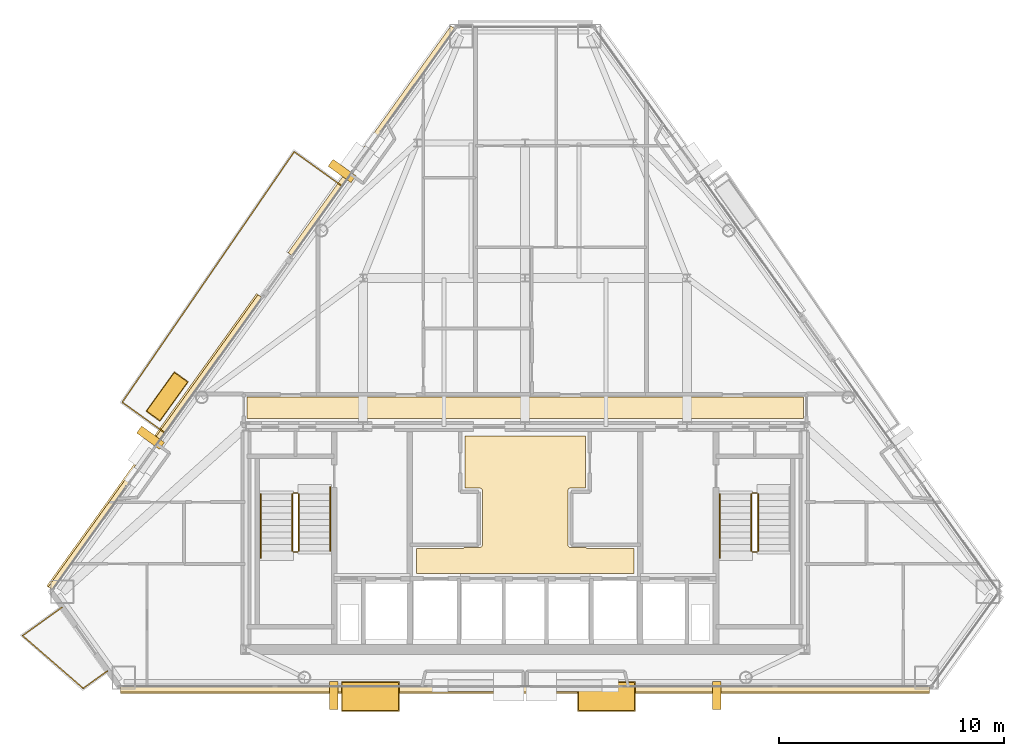
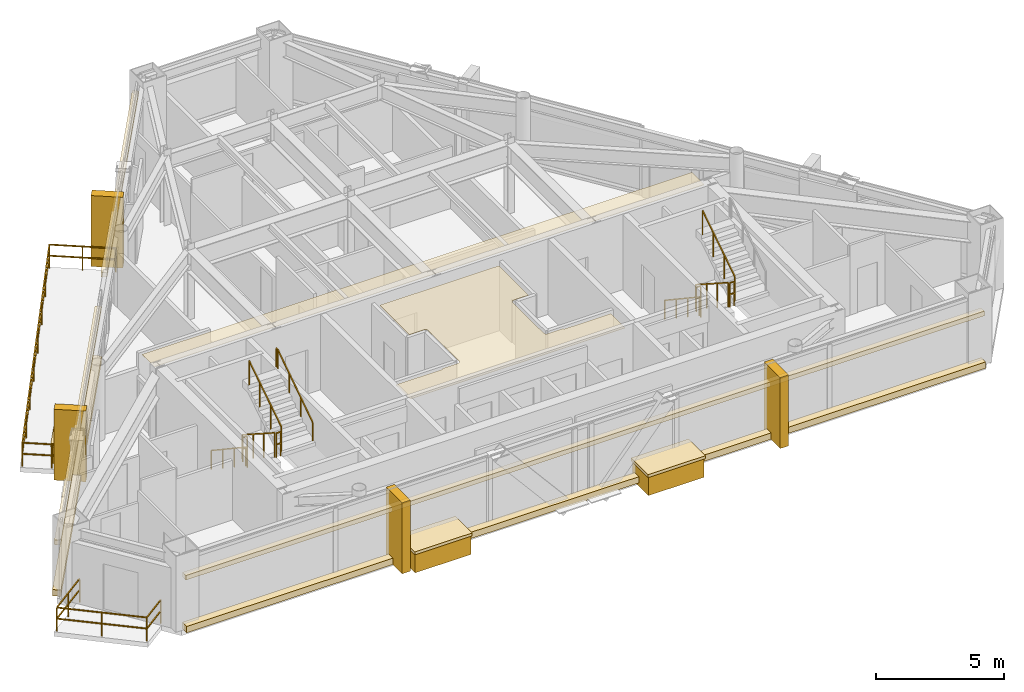
# One storey, part 11 of 12: 17 coverings, 13 railings.
"""IFC4 building model written with IfcOpenShell, lengths in metres."""

from ifc_helpers import new_model, si_unit, direction, frame, origin, origin_2d, place, context, subcontext, project, spatial, polyline, rectangle, outline, extrude, material, layer, layer_set, type_object, element, save


model = new_model("IFC4")

# Units and contexts
model_context = context("Model", 3, precision=1e-05, world=origin(), true_north=direction((0.0, 1.0)))
body_context = subcontext(model_context, "Body", "Model", "MODEL_VIEW")
ifc_project = project(units=[si_unit("LENGTHUNIT", "METRE"), si_unit("AREAUNIT", "SQUARE_METRE"), si_unit("VOLUMEUNIT", "CUBIC_METRE"), si_unit("PLANEANGLEUNIT", "RADIAN"), si_unit("MASSUNIT", "GRAM", prefix="KILO")], contexts=[model_context])

# Site, building, storey
site_placement = place(None, origin())
site = spatial("IfcSite", under=ifc_project, at=site_placement, CompositionType="ELEMENT")
building_placement = place(site_placement, origin())
building = spatial("IfcBuilding", under=site, at=building_placement, Name="Talgorran Terracotta Tower", CompositionType="ELEMENT")
storey_placement = place(building_placement, frame((0.0, 0.0, 225.300048828125)))
storey = spatial("IfcBuildingStorey", under=building, at=storey_placement, Name="L59", CompositionType="ELEMENT", Elevation=225.300048828125)

# Coverings
ifc_material_1 = material(Name="Kiln-Fired Terracotta Ochre Ceramic", Category="masonry")
ifc_layer_1 = layer(ifc_material_1, 0.179931640625, Name="COV_BAGUETTE_TERRACOTTA_SCREEN")
ifc_layer_set_1 = layer_set([ifc_layer_1], Name="Kiln-Fired Terracotta Ochre Ceramic")
covering_type_1 = type_object("IfcCoveringType", Name="COV_BAGUETTE_TERRACOTTA_SCREEN", PredefinedType="CLADDING", material=ifc_layer_set_1)
covering_1_placement = place(storey_placement, frame((0.0, -15.852294921875, 2.41015625), z_axis=(0.0, 0.0, 1.0), x_axis=(1.0, 0.0, 0.0)))
element("IfcCovering", 1, at=covering_1_placement, inside=storey, type_object=covering_type_1, Name="L59 Terracotta Baguette Solar Screen Assembly F1", PredefinedType="CLADDING", context=body_context, shape_type="SweptSolid", body=[
    extrude(rectangle(XDim=35.930908203125, YDim=0.260009765625, at=origin_2d()), origin(), (0.0, 0.0, 1.0), 0.219970703125),
])
covering_2_placement = place(storey_placement, frame((-6.808837890625, 8.485107421875, 2.41015625), z_axis=(0.0, 0.0, 1.0), x_axis=(-0.583115925445, -0.812388957023, 0.0)))
element("IfcCovering", 2, at=covering_2_placement, inside=storey, type_object=covering_type_1, Name="L59 Terracotta Baguette Solar Screen Assembly F60", PredefinedType="CLADDING", context=body_context, shape_type="SweptSolid", body=[
    extrude(rectangle(XDim=12.39990234375, YDim=0.260009765625, at=origin_2d()), origin(), (0.0, 0.0, 1.0), 0.219970703125),
])
covering_3_placement = place(storey_placement, frame((-16.4208984375, -4.906005859375, 2.41015625), z_axis=(0.0, 0.0, 1.0), x_axis=(-0.583115925445, -0.812388957023, 0.0)))
element("IfcCovering", 3, at=covering_3_placement, inside=storey, type_object=covering_type_1, Name="L59 Terracotta Baguette Solar Screen Assembly F61", PredefinedType="CLADDING", context=body_context, shape_type="SweptSolid", body=[
    extrude(rectangle(XDim=15.96728515625, YDim=0.260009765625, at=origin_2d()), origin(), (0.0, 0.0, 1.0), 0.219970703125),
])
ifc_material_2 = material(Name="Mineral Fibre Acoustic Tile")
ifc_layer_2 = layer(ifc_material_2, 0.02490234375, Name="COV_CEIL_ACOUSTIC")
ifc_layer_set_2 = layer_set([ifc_layer_2], Name="Mineral Fibre Acoustic Tile")
covering_type_2 = type_object("IfcCoveringType", Name="COV_CEIL_ACOUSTIC", PredefinedType="CEILING", material=ifc_layer_set_2)
covering_4_placement = place(storey_placement, frame((0.0, 0.0, 3.22998046875)))
element("IfcCovering", 4, at=covering_4_placement, inside=storey, type_object=covering_type_2, Name="CEIL-L59-2", PredefinedType="CEILING", context=body_context, shape_type="SweptSolid", body=[
    extrude(outline(polyline([(-12.364990234375, -2.885009765625), (12.364990234375, -2.885009765625), (12.364990234375, -3.844970703125), (7.432861328125, -3.844970703125), (6.968017578125, -3.843017578125), (6.967529296875, -3.843017578125), (0.232666015625, -3.844970703125), (-0.23193359375, -3.843017578125), (-0.232421875, -3.843017578125), (-6.96728515625, -3.844970703125), (-7.431884765625, -3.843017578125), (-7.4326171875, -3.843017578125), (-12.364990234375, -3.844970703125), (-12.364990234375, -2.885009765625)])), origin(), (0.0, 0.0, 1.0), 0.02001953125),
])
ifc_material_3 = material(Name="Flush Moisture-Resistant Plaster")
ifc_layer_3 = layer(ifc_material_3, 0.01806640625, Name="COV_CEIL_PLASTER")
ifc_layer_set_3 = layer_set([ifc_layer_3], Name="Flush Moisture-Resistant Plaster")
covering_type_3 = type_object("IfcCoveringType", Name="COV_CEIL_PLASTER", PredefinedType="CEILING", material=ifc_layer_set_3)
covering_5_placement = place(storey_placement, frame((0.0, 0.0, 3.22998046875)))
element("IfcCovering", 5, at=covering_5_placement, inside=storey, type_object=covering_type_3, Name="CEIL-L59-1", PredefinedType="CEILING", context=body_context, shape_type="SweptSolid", body=[
    extrude(outline(polyline([(-2.70263671875, -9.570068359375), (-2.02001953125, -9.570068359375), (-2.00830078125, -9.5693359375), (-1.99658203125, -9.567626953125), (-1.985107421875, -9.564697265625), (-1.97412109375, -9.560791015625), (-1.96337890625, -9.555908203125), (-1.953369140625, -9.5498046875), (-1.94384765625, -9.542724609375), (-1.93505859375, -9.534912109375), (-1.92724609375, -9.526123046875), (-1.920166015625, -9.5166015625), (-1.914306640625, -9.506591796875), (-1.9091796875, -9.495849609375), (-1.9052734375, -9.48486328125), (-1.90234375, -9.473388671875), (-1.900634765625, -9.4619140625), (-1.89990234375, -9.449951171875), (-1.89990234375, -7.050048828125), (-1.900634765625, -7.0380859375), (-1.90234375, -7.026611328125), (-1.9052734375, -7.01513671875), (-1.9091796875, -7.004150390625), (-1.914306640625, -6.993408203125), (-1.920166015625, -6.9833984375), (-1.92724609375, -6.973876953125), (-1.93505859375, -6.965087890625), (-1.94384765625, -6.957275390625), (-1.953369140625, -6.9501953125), (-1.96337890625, -6.944091796875), (-1.97412109375, -6.939208984375), (-1.985107421875, -6.935302734375), (-1.99658203125, -6.932373046875), (-2.00830078125, -6.9306640625), (-2.02001953125, -6.929931640625), (-2.679931640625, -6.929931640625), (-2.679931640625, -4.6201171875), (2.679931640625, -4.6201171875), (2.679931640625, -6.929931640625), (2.02001953125, -6.929931640625), (2.00830078125, -6.9306640625), (1.99658203125, -6.932373046875), (1.985107421875, -6.935302734375), (1.97412109375, -6.939208984375), (1.96337890625, -6.944091796875), (1.953369140625, -6.9501953125), (1.94384765625, -6.957275390625), (1.93505859375, -6.965087890625), (1.92724609375, -6.973876953125), (1.920166015625, -6.9833984375), (1.914306640625, -6.993408203125), (1.9091796875, -7.004150390625), (1.9052734375, -7.01513671875), (1.90234375, -7.026611328125), (1.900634765625, -7.0380859375), (1.89990234375, -7.050048828125), (1.89990234375, -9.449951171875), (1.900634765625, -9.4619140625), (1.90234375, -9.473388671875), (1.9052734375, -9.48486328125), (1.9091796875, -9.495849609375), (1.914306640625, -9.506591796875), (1.920166015625, -9.5166015625), (1.92724609375, -9.526123046875), (1.93505859375, -9.534912109375), (1.94384765625, -9.542724609375), (1.953369140625, -9.5498046875), (1.96337890625, -9.555908203125), (1.97412109375, -9.560791015625), (1.985107421875, -9.564697265625), (1.99658203125, -9.567626953125), (2.00830078125, -9.5693359375), (2.02001953125, -9.570068359375), (2.70263671875, -9.570068359375), (2.707275390625, -9.576171875), (2.715087890625, -9.5849609375), (2.723876953125, -9.5927734375), (2.7333984375, -9.599853515625), (2.743408203125, -9.605712890625), (2.754150390625, -9.61083984375), (2.76513671875, -9.61474609375), (2.776611328125, -9.61767578125), (2.7880859375, -9.619384765625), (2.800048828125, -9.6201171875), (4.830078125, -9.6201171875), (4.830078125, -10.72998046875), (-4.830078125, -10.72998046875), (-4.830078125, -9.6201171875), (-2.800048828125, -9.6201171875), (-2.7880859375, -9.619384765625), (-2.776611328125, -9.61767578125), (-2.76513671875, -9.61474609375), (-2.754150390625, -9.61083984375), (-2.743408203125, -9.605712890625), (-2.7333984375, -9.599853515625), (-2.723876953125, -9.5927734375), (-2.715087890625, -9.5849609375), (-2.707275390625, -9.576171875), (-2.70263671875, -9.570068359375)])), origin(), (0.0, 0.0, 1.0), 0.02001953125),
])
ifc_material_4 = material(Name="Honed Limestone and Terracotta Planter", Category="masonry")
ifc_layer_4 = layer(ifc_material_4, 0.1201171875, Name="COV_PLANTER_BOX")
ifc_layer_set_4 = layer_set([ifc_layer_4], Name="Honed Limestone and Terracotta Planter")
covering_type_4 = type_object("IfcCoveringType", Name="COV_PLANTER_BOX", PredefinedType="CLADDING", material=ifc_layer_set_4)
for number, where, z_axis, x_axis, name in (
    (6, (3.619384765625, -16.192138671875, -0.179931640625), (0.0, 0.0, 1.0), (1.0, 0.0, 0.0), "L59 Staggered South Facade Planter Box 1"),
    (7, (-6.876953125, -16.192138671875, -0.179931640625), (0.0, 0.0, 1.0), (1.0, 0.0, 0.0), "L59 Staggered South Facade Planter Box 2"),
):
    element("IfcCovering", number, at=place(storey_placement, frame(where, z_axis=z_axis, x_axis=x_axis)), inside=storey, type_object=covering_type_4, Name=name, PredefinedType="CLADDING", context=body_context, shape_type="SweptSolid", body=[
        extrude(rectangle(XDim=2.5, YDim=1.25, at=origin_2d()), origin(), (0.0, 0.0, 1.0), 0.919921875),
    ])
covering_6_placement = place(storey_placement, frame((-15.9033203125, -2.86474609375, -0.02001953125), z_axis=(0.0, 0.0, 1.0), x_axis=(-0.583115925445, -0.812388957023, 0.0)))
element("IfcCovering", 8, at=covering_6_placement, inside=storey, type_object=covering_type_4, Name="L59 Staggered Balcony Planter Box BAL-NW", PredefinedType="CLADDING", context=body_context, shape_type="SweptSolid", body=[
    extrude(rectangle(XDim=2.10009765625, YDim=0.719970703125, at=origin_2d()), origin(), (0.0, 0.0, 1.0), 0.860107421875),
])
ifc_material_5 = material(Name="Kiln-Fired Terracotta Planter Rim", Category="masonry")
ifc_layer_5 = layer(ifc_material_5, 0.10009765625, Name="COV_PLANTER_RIM")
ifc_layer_set_5 = layer_set([ifc_layer_5], Name="Kiln-Fired Terracotta Planter Rim")
covering_type_5 = type_object("IfcCoveringType", Name="COV_PLANTER_RIM", PredefinedType="CLADDING", material=ifc_layer_set_5)
for number, where, z_axis, x_axis, name in (
    (9, (3.619384765625, -16.192138671875, 0.7099609375), (0.0, 0.0, 1.0), (1.0, 0.0, 0.0), "L59 South Planter Terracotta Rim 1"),
    (10, (-6.876953125, -16.192138671875, 0.7099609375), (0.0, 0.0, 1.0), (1.0, 0.0, 0.0), "L59 South Planter Terracotta Rim 2"),
):
    element("IfcCovering", number, at=place(storey_placement, frame(where, z_axis=z_axis, x_axis=x_axis)), inside=storey, type_object=covering_type_5, Name=name, PredefinedType="CLADDING", context=body_context, shape_type="SweptSolid", body=[
        extrude(rectangle(XDim=2.580078125, YDim=1.320068359375, at=origin_2d()), origin(), (0.0, 0.0, 1.0), 0.139892578125),
    ])
covering_7_placement = place(storey_placement, frame((-15.9033203125, -2.86474609375, 0.7998046875), z_axis=(0.0, 0.0, 1.0), x_axis=(-0.583115925445, -0.812388957023, 0.0)))
element("IfcCovering", 11, at=covering_7_placement, inside=storey, type_object=covering_type_5, Name="L59 Balcony Planter Terracotta Rim BAL-NW", PredefinedType="CLADDING", context=body_context, shape_type="SweptSolid", body=[
    extrude(rectangle(XDim=2.179931640625, YDim=0.780029296875, at=origin_2d()), origin(), (0.0, 0.0, 1.0), 0.1201171875),
])
ifc_material_6 = material(Name="Honed Limestone Cladding", Category="masonry")
ifc_layer_6 = layer(ifc_material_6, 0.094970703125, Name="COV_PORTAL_LIME")
ifc_layer_set_6 = layer_set([ifc_layer_6], Name="Honed Limestone Cladding")
covering_type_6 = type_object("IfcCoveringType", Name="COV_PORTAL_LIME", PredefinedType="CLADDING", material=ifc_layer_set_6)
for number, where, z_axis, x_axis, name in (
    (12, (-8.505615234375, -16.152099609375, -0.050048828125), (0.0, 0.0, 1.0), (1.0, 0.0, 0.0), "L59 White Striped Portal Fin F1-1"),
    (13, (-8.133056640625, 7.15478515625, -0.050048828125), (0.0, 0.0, 1.0), (-0.583115925445, -0.812388957023, 0.0), "L59 White Striped Portal Fin F5-1"),
):
    element("IfcCovering", number, at=place(storey_placement, frame(where, z_axis=z_axis, x_axis=x_axis)), inside=storey, type_object=covering_type_6, Name=name, PredefinedType="CLADDING", context=body_context, shape_type="SweptSolid", body=[
        extrude(rectangle(XDim=0.3798828125, YDim=1.25, at=origin_2d()), origin(), (0.0, 0.0, 1.0), 3.3701171875),
    ])
ifc_material_7 = material(Name="Kiln-Fired Terracotta Cladding", Category="masonry")
ifc_layer_7 = layer(ifc_material_7, 0.090087890625, Name="COV_PORTAL_TERRA")
ifc_layer_set_7 = layer_set([ifc_layer_7], Name="Kiln-Fired Terracotta Cladding")
covering_type_7 = type_object("IfcCoveringType", Name="COV_PORTAL_TERRA", PredefinedType="CLADDING", material=ifc_layer_set_7)
covering_8_placement = place(storey_placement, frame((0.0, -15.89208984375, -0.0400390625), z_axis=(0.0, 0.0, 1.0), x_axis=(1.0, 0.0, 0.0)))
element("IfcCovering", 14, at=covering_8_placement, inside=storey, type_object=covering_type_7, Name="L59 Striped Postmodern Portal Cladding Band F1", PredefinedType="CLADDING", context=body_context, shape_type="SweptSolid", body=[
    extrude(rectangle(XDim=35.95068359375, YDim=0.340087890625, at=origin_2d()), origin(), (0.0, 0.0, 1.0), 0.300048828125),
])
covering_9_placement = place(storey_placement, frame((-16.453369140625, -4.8828125, -0.0400390625), z_axis=(0.0, 0.0, 1.0), x_axis=(-0.583115925445, -0.812388957023, 0.0)))
element("IfcCovering", 15, at=covering_9_placement, inside=storey, type_object=covering_type_7, Name="L59 Striped Postmodern Portal Cladding Band F61", PredefinedType="CLADDING", context=body_context, shape_type="SweptSolid", body=[
    extrude(rectangle(XDim=15.9873046875, YDim=0.340087890625, at=origin_2d()), origin(), (0.0, 0.0, 1.0), 0.300048828125),
])
for number, where, z_axis, x_axis, name in (
    (16, (8.505615234375, -16.152099609375, -0.050048828125), (0.0, 0.0, 1.0), (1.0, 0.0, 0.0), "L59 Terracotta Striped Portal Fin F1-2"),
    (17, (-16.638671875, -4.695068359375, -0.050048828125), (0.0, 0.0, 1.0), (-0.583115925445, -0.812388957023, 0.0), "L59 Terracotta Striped Portal Fin F5-2"),
):
    element("IfcCovering", number, at=place(storey_placement, frame(where, z_axis=z_axis, x_axis=x_axis)), inside=storey, type_object=covering_type_7, Name=name, PredefinedType="CLADDING", context=body_context, shape_type="SweptSolid", body=[
        extrude(rectangle(XDim=0.3798828125, YDim=1.25, at=origin_2d()), origin(), (0.0, 0.0, 1.0), 3.3701171875),
    ])

# Railings
ifc_material_8 = material(Name="Laminated Glass and Stainless Steel 316", Category="steel")
railing_type_1 = type_object("IfcRailingType", Name="RL_BALCONY_1150", PredefinedType="BALUSTRADE", material=ifc_material_8)
railing_1_placement = place(storey_placement, frame((-8.142333984375, 6.490234375, 0.0)))
element("IfcRailing", 18, at=railing_1_placement, inside=storey, type_object=railing_type_1, Name="RL-L59-BAL-BAL-NW", PredefinedType="BALUSTRADE", context=body_context, shape_type="SweptSolid", body=[
    extrude(rectangle(XDim=0.048095703125, YDim=0.048095703125, at=origin_2d()), frame((0.0, 0.0, 1.1259765625), z_axis=(-0.81240796621, 0.5830894412, 0.0), x_axis=(-0.5830894412, -0.81240796621, 0.0)), (0.0, 0.0, 1.0), 2.605224609375),
    extrude(rectangle(XDim=0.048095703125, YDim=0.048095703125, at=origin_2d()), frame((0.0, 0.0, 0.597900390625), z_axis=(-0.81240796621, 0.5830894412, 0.0), x_axis=(-0.5830894412, -0.81240796621, 0.0)), (0.0, 0.0, 1.0), 2.605224609375),
    extrude(rectangle(XDim=0.048095703125, YDim=0.048095703125, at=origin_2d()), frame((-2.116455078125, 1.51904296875, 1.1259765625), z_axis=(-0.565968340701, -0.824426975132, 0.0), x_axis=(0.824426975132, -0.565968340701, 0.0)), (0.0, 0.0, 1.0), 13.498291015625),
    extrude(rectangle(XDim=0.048095703125, YDim=0.048095703125, at=origin_2d()), frame((-2.116455078125, 1.51904296875, 0.597900390625), z_axis=(-0.565968340701, -0.824426975132, 0.0), x_axis=(0.824426975132, -0.565968340701, 0.0)), (0.0, 0.0, 1.0), 13.498291015625),
    extrude(rectangle(XDim=0.048095703125, YDim=0.048095703125, at=origin_2d()), frame((-9.756103515625, -9.609375, 1.1259765625), z_axis=(0.812388854484, -0.5831160683, 0.0), x_axis=(0.5831160683, 0.812388854484, 0.0)), (0.0, 0.0, 1.0), 2.322509765625),
    extrude(rectangle(XDim=0.048095703125, YDim=0.048095703125, at=origin_2d()), frame((-9.756103515625, -9.609375, 0.597900390625), z_axis=(0.812388854484, -0.5831160683, 0.0), x_axis=(0.5831160683, 0.812388854484, 0.0)), (0.0, 0.0, 1.0), 2.322509765625),
    extrude(rectangle(XDim=0.0419921875, YDim=0.0419921875, at=origin_2d()), origin(), (0.0, 0.0, 1.0), 1.101806640625),
    extrude(rectangle(XDim=0.0419921875, YDim=0.0419921875, at=origin_2d()), frame((-1.05810546875, 0.759521484375, 0.0)), (0.0, 0.0, 1.0), 1.101806640625),
    extrude(rectangle(XDim=0.0419921875, YDim=0.0419921875, at=origin_2d()), frame((-2.116455078125, 1.51904296875, 0.0)), (0.0, 0.0, 1.0), 1.101806640625),
    extrude(rectangle(XDim=0.0419921875, YDim=0.0419921875, at=origin_2d()), frame((-3.207763671875, -0.07080078125, 0.0)), (0.0, 0.0, 1.0), 1.101806640625),
    extrude(rectangle(XDim=0.0419921875, YDim=0.0419921875, at=origin_2d()), frame((-4.29931640625, -1.660400390625, 0.0)), (0.0, 0.0, 1.0), 1.101806640625),
    extrude(rectangle(XDim=0.0419921875, YDim=0.0419921875, at=origin_2d()), frame((-5.390625, -3.250244140625, 0.0)), (0.0, 0.0, 1.0), 1.101806640625),
    extrude(rectangle(XDim=0.0419921875, YDim=0.0419921875, at=origin_2d()), frame((-6.48193359375, -4.840087890625, 0.0)), (0.0, 0.0, 1.0), 1.101806640625),
    extrude(rectangle(XDim=0.0419921875, YDim=0.0419921875, at=origin_2d()), frame((-7.5732421875, -6.429931640625, 0.0)), (0.0, 0.0, 1.0), 1.101806640625),
    extrude(rectangle(XDim=0.0419921875, YDim=0.0419921875, at=origin_2d()), frame((-8.664794921875, -8.01953125, 0.0)), (0.0, 0.0, 1.0), 1.101806640625),
    extrude(rectangle(XDim=0.0419921875, YDim=0.0419921875, at=origin_2d()), frame((-9.756103515625, -9.609375, 0.0)), (0.0, 0.0, 1.0), 1.101806640625),
    extrude(rectangle(XDim=0.0419921875, YDim=0.0419921875, at=origin_2d()), frame((-8.812744140625, -10.28662109375, 0.0)), (0.0, 0.0, 1.0), 1.101806640625),
    extrude(rectangle(XDim=0.0419921875, YDim=0.0419921875, at=origin_2d()), frame((-7.869384765625, -10.963623046875, 0.0)), (0.0, 0.0, 1.0), 1.101806640625),
])
railing_2_placement = place(storey_placement, frame((-20.583251953125, -12.23681640625, 0.0)))
element("IfcRailing", 19, at=railing_2_placement, inside=storey, type_object=railing_type_1, Name="RL-L59-BAL-BAL-SW", PredefinedType="BALUSTRADE", context=body_context, shape_type="SweptSolid", body=[
    extrude(rectangle(XDim=0.048095703125, YDim=0.048095703125, at=origin_2d()), frame((0.0, 0.0, 1.1259765625), z_axis=(-0.81241069226, -0.583085643025, 0.0), x_axis=(0.583085643025, -0.81241069226, 0.0)), (0.0, 0.0, 1.0), 2.1484375),
    extrude(rectangle(XDim=0.048095703125, YDim=0.048095703125, at=origin_2d()), frame((0.0, 0.0, 0.597900390625), z_axis=(-0.81241069226, -0.583085643025, 0.0), x_axis=(0.583085643025, -0.81241069226, 0.0)), (0.0, 0.0, 1.0), 2.1484375),
    extrude(rectangle(XDim=0.048095703125, YDim=0.048095703125, at=origin_2d()), frame((-1.745361328125, -1.252685546875, 1.1259765625), z_axis=(0.755327943251, -0.655347005901, 0.0), x_axis=(0.655347005901, 0.755327943251, 0.0)), (0.0, 0.0, 1.0), 3.570068359375),
    extrude(rectangle(XDim=0.048095703125, YDim=0.048095703125, at=origin_2d()), frame((-1.745361328125, -1.252685546875, 0.597900390625), z_axis=(0.755327943251, -0.655347005901, 0.0), x_axis=(0.655347005901, 0.755327943251, 0.0)), (0.0, 0.0, 1.0), 3.570068359375),
    extrude(rectangle(XDim=0.048095703125, YDim=0.048095703125, at=origin_2d()), frame((0.951171875, -3.59228515625, 1.1259765625), z_axis=(0.812433649387, 0.58305365563, 0.0), x_axis=(-0.58305365563, 0.812433649387, 0.0)), (0.0, 0.0, 1.0), 1.322021484375),
    extrude(rectangle(XDim=0.048095703125, YDim=0.048095703125, at=origin_2d()), frame((0.951171875, -3.59228515625, 0.597900390625), z_axis=(0.812433649387, 0.58305365563, 0.0), x_axis=(-0.58305365563, 0.812433649387, 0.0)), (0.0, 0.0, 1.0), 1.322021484375),
    extrude(rectangle(XDim=0.0419921875, YDim=0.0419921875, at=origin_2d()), origin(), (0.0, 0.0, 1.0), 1.101806640625),
    extrude(rectangle(XDim=0.0419921875, YDim=0.0419921875, at=origin_2d()), frame((-0.87255859375, -0.62646484375, 0.0)), (0.0, 0.0, 1.0), 1.101806640625),
    extrude(rectangle(XDim=0.0419921875, YDim=0.0419921875, at=origin_2d()), frame((-1.745361328125, -1.252685546875, 0.0)), (0.0, 0.0, 1.0), 1.101806640625),
    extrude(rectangle(XDim=0.0419921875, YDim=0.0419921875, at=origin_2d()), frame((-0.39697265625, -2.42236328125, 0.0)), (0.0, 0.0, 1.0), 1.101806640625),
    extrude(rectangle(XDim=0.0419921875, YDim=0.0419921875, at=origin_2d()), frame((0.951171875, -3.59228515625, 0.0)), (0.0, 0.0, 1.0), 1.101806640625),
    extrude(rectangle(XDim=0.0419921875, YDim=0.0419921875, at=origin_2d()), frame((2.025146484375, -2.821533203125, 0.0)), (0.0, 0.0, 1.0), 1.101806640625),
])
ifc_material_9 = material(Name="Steel S355 (300PLUS)", Category="steel")
railing_type_2 = type_object("IfcRailingType", Name="RL_HANDRAIL_920", PredefinedType="HANDRAIL", material=ifc_material_9)
railing_3_placement = place(storey_placement, frame((-11.75, -7.199951171875, 0.179931640625)))
element("IfcRailing", 20, at=railing_3_placement, inside=storey, type_object=railing_type_2, Name="L59 ST-01 stair handrail 1", PredefinedType="HANDRAIL", context=body_context, shape_type="SweptSolid", body=[
    extrude(rectangle(XDim=0.048095703125, YDim=0.048095703125, at=origin_2d()), frame((0.0, 0.0, 0.89599609375), z_axis=(0.0, -0.832038719335, 0.554717558338), x_axis=(1.0, 0.0, 0.0)), (0.0, 0.0, 1.0), 3.244873046875),
    extrude(rectangle(XDim=0.048095703125, YDim=0.048095703125, at=origin_2d()), frame((0.0, -2.699951171875, 2.69580078125), z_axis=(0.0, -1.0, 0.0), x_axis=(1.0, 0.0, 0.0)), (0.0, 0.0, 1.0), 0.1201171875),
    extrude(rectangle(XDim=0.0419921875, YDim=0.0419921875, at=origin_2d()), origin(), (0.0, 0.0, 1.0), 0.871826171875),
    extrude(rectangle(XDim=0.0419921875, YDim=0.0419921875, at=origin_2d()), frame((0.0, -0.89990234375, 0.60009765625)), (0.0, 0.0, 1.0), 0.871826171875),
    extrude(rectangle(XDim=0.0419921875, YDim=0.0419921875, at=origin_2d()), frame((0.0, -1.800048828125, 1.199951171875)), (0.0, 0.0, 1.0), 0.871826171875),
    extrude(rectangle(XDim=0.0419921875, YDim=0.0419921875, at=origin_2d()), frame((0.0, -2.699951171875, 1.800048828125)), (0.0, 0.0, 1.0), 0.871826171875),
    extrude(rectangle(XDim=0.0419921875, YDim=0.0419921875, at=origin_2d()), frame((0.0, -2.820068359375, 1.800048828125)), (0.0, 0.0, 1.0), 0.871826171875),
])
railing_4_placement = place(storey_placement, frame((-8.64990234375, -9.719970703125, 1.97998046875)))
element("IfcRailing", 21, at=railing_4_placement, inside=storey, type_object=railing_type_2, Name="L59 ST-01 stair handrail 2", PredefinedType="HANDRAIL", context=body_context, shape_type="SweptSolid", body=[
    extrude(rectangle(XDim=0.048095703125, YDim=0.048095703125, at=origin_2d()), frame((0.0, 0.0, 0.89599609375), z_axis=(0.0, 0.832038719335, 0.554717558338), x_axis=(-1.0, 0.0, 0.0)), (0.0, 0.0, 1.0), 3.244873046875),
    extrude(rectangle(XDim=0.048095703125, YDim=0.048095703125, at=origin_2d()), frame((0.0, 2.699951171875, 2.69580078125), z_axis=(0.0, 1.0, 0.0), x_axis=(-1.0, 0.0, 0.0)), (0.0, 0.0, 1.0), 0.1201171875),
    extrude(rectangle(XDim=0.0419921875, YDim=0.0419921875, at=origin_2d()), origin(), (0.0, 0.0, 1.0), 0.871826171875),
    extrude(rectangle(XDim=0.0419921875, YDim=0.0419921875, at=origin_2d()), frame((0.0, 0.89990234375, 0.60009765625)), (0.0, 0.0, 1.0), 0.871826171875),
    extrude(rectangle(XDim=0.0419921875, YDim=0.0419921875, at=origin_2d()), frame((0.0, 1.800048828125, 1.199951171875)), (0.0, 0.0, 1.0), 0.871826171875),
    extrude(rectangle(XDim=0.0419921875, YDim=0.0419921875, at=origin_2d()), frame((0.0, 2.699951171875, 1.800048828125)), (0.0, 0.0, 1.0), 0.871826171875),
    extrude(rectangle(XDim=0.0419921875, YDim=0.0419921875, at=origin_2d()), frame((0.0, 2.820068359375, 1.800048828125)), (0.0, 0.0, 1.0), 0.871826171875),
])
railing_5_placement = place(storey_placement, frame((8.64990234375, -7.199951171875, 0.179931640625)))
element("IfcRailing", 22, at=railing_5_placement, inside=storey, type_object=railing_type_2, Name="L59 ST-02 stair handrail 1", PredefinedType="HANDRAIL", context=body_context, shape_type="SweptSolid", body=[
    extrude(rectangle(XDim=0.048095703125, YDim=0.048095703125, at=origin_2d()), frame((0.0, 0.0, 0.89599609375), z_axis=(0.0, -0.832038719335, 0.554717558338), x_axis=(1.0, 0.0, 0.0)), (0.0, 0.0, 1.0), 3.244873046875),
    extrude(rectangle(XDim=0.048095703125, YDim=0.048095703125, at=origin_2d()), frame((0.0, -2.699951171875, 2.69580078125), z_axis=(0.0, -1.0, 0.0), x_axis=(1.0, 0.0, 0.0)), (0.0, 0.0, 1.0), 0.1201171875),
    extrude(rectangle(XDim=0.0419921875, YDim=0.0419921875, at=origin_2d()), origin(), (0.0, 0.0, 1.0), 0.871826171875),
    extrude(rectangle(XDim=0.0419921875, YDim=0.0419921875, at=origin_2d()), frame((0.0, -0.89990234375, 0.60009765625)), (0.0, 0.0, 1.0), 0.871826171875),
    extrude(rectangle(XDim=0.0419921875, YDim=0.0419921875, at=origin_2d()), frame((0.0, -1.800048828125, 1.199951171875)), (0.0, 0.0, 1.0), 0.871826171875),
    extrude(rectangle(XDim=0.0419921875, YDim=0.0419921875, at=origin_2d()), frame((0.0, -2.699951171875, 1.800048828125)), (0.0, 0.0, 1.0), 0.871826171875),
    extrude(rectangle(XDim=0.0419921875, YDim=0.0419921875, at=origin_2d()), frame((0.0, -2.820068359375, 1.800048828125)), (0.0, 0.0, 1.0), 0.871826171875),
])
railing_type_3 = type_object("IfcRailingType", Name="RL_STAIR_GUARD", PredefinedType="GUARDRAIL", material=ifc_material_9)
railing_6_placement = place(storey_placement, frame((-10.35009765625, -7.199951171875, 0.179931640625)))
element("IfcRailing", 23, at=railing_6_placement, inside=storey, type_object=railing_type_3, Name="L59 ST-01 stair guard 1", PredefinedType="GUARDRAIL", context=body_context, shape_type="SweptSolid", body=[
    extrude(rectangle(XDim=0.048095703125, YDim=0.048095703125, at=origin_2d()), frame((0.0, 0.0, 1.15576171875), z_axis=(0.0, -0.841162588446, 0.540782303519), x_axis=(1.0, 0.0, 0.0)), (0.0, 0.0, 1.0), 2.995849609375),
    extrude(rectangle(XDim=0.0419921875, YDim=0.0419921875, at=origin_2d()), origin(), (0.0, 0.0, 1.0), 1.1318359375),
    extrude(rectangle(XDim=0.0419921875, YDim=0.0419921875, at=origin_2d()), frame((0.0, -0.840087890625, 0.5400390625)), (0.0, 0.0, 1.0), 1.1318359375),
    extrude(rectangle(XDim=0.0419921875, YDim=0.0419921875, at=origin_2d()), frame((0.0, -1.679931640625, 1.080078125)), (0.0, 0.0, 1.0), 1.1318359375),
    extrude(rectangle(XDim=0.0419921875, YDim=0.0419921875, at=origin_2d()), frame((0.0, -2.52001953125, 1.6201171875)), (0.0, 0.0, 1.0), 1.1318359375),
])
railing_7_placement = place(storey_placement, frame((-10.300048828125, -9.77001953125, 1.800048828125)))
element("IfcRailing", 24, at=railing_7_placement, inside=storey, type_object=railing_type_3, Name="L59 ST-01 stair guard 2", PredefinedType="GUARDRAIL", context=body_context, shape_type="SweptSolid", body=[
    extrude(rectangle(XDim=0.048095703125, YDim=0.048095703125, at=origin_2d()), frame((0.0, 0.0, 1.15576171875), z_axis=(1.0, 0.0, 0.0), x_axis=(0.0, 1.0, 0.0)), (0.0, 0.0, 1.0), 0.199951171875),
    extrude(rectangle(XDim=0.048095703125, YDim=0.048095703125, at=origin_2d()), frame((0.0, 0.0, 0.613525390625), z_axis=(1.0, 0.0, 0.0), x_axis=(0.0, 1.0, 0.0)), (0.0, 0.0, 1.0), 0.199951171875),
    extrude(rectangle(XDim=0.0419921875, YDim=0.0419921875, at=origin_2d()), origin(), (0.0, 0.0, 1.0), 1.1318359375),
    extrude(rectangle(XDim=0.0419921875, YDim=0.0419921875, at=origin_2d()), frame((0.199951171875, 0.0, 0.0)), (0.0, 0.0, 1.0), 1.1318359375),
])
railing_8_placement = place(storey_placement, frame((-10.050048828125, -9.719970703125, 1.97998046875)))
element("IfcRailing", 25, at=railing_8_placement, inside=storey, type_object=railing_type_3, Name="L59 ST-01 stair guard 3", PredefinedType="GUARDRAIL", context=body_context, shape_type="SweptSolid", body=[
    extrude(rectangle(XDim=0.048095703125, YDim=0.048095703125, at=origin_2d()), frame((0.0, 0.0, 1.15576171875), z_axis=(0.0, 0.841199657755, 0.540724639528), x_axis=(-1.0, 0.0, 0.0)), (0.0, 0.0, 1.0), 2.995849609375),
    extrude(rectangle(XDim=0.0419921875, YDim=0.0419921875, at=origin_2d()), origin(), (0.0, 0.0, 1.0), 1.1318359375),
    extrude(rectangle(XDim=0.0419921875, YDim=0.0419921875, at=origin_2d()), frame((0.0, 0.840087890625, 0.5400390625)), (0.0, 0.0, 1.0), 1.1318359375),
    extrude(rectangle(XDim=0.0419921875, YDim=0.0419921875, at=origin_2d()), frame((0.0, 1.679931640625, 1.079833984375)), (0.0, 0.0, 1.0), 1.1318359375),
    extrude(rectangle(XDim=0.0419921875, YDim=0.0419921875, at=origin_2d()), frame((0.0, 2.52001953125, 1.619873046875)), (0.0, 0.0, 1.0), 1.1318359375),
])
railing_9_placement = place(storey_placement, frame((-10.300048828125, -7.14990234375, 0.0)))
element("IfcRailing", 26, at=railing_9_placement, inside=storey, type_object=railing_type_3, Name="L59 ST-01 stair guard 4", PredefinedType="GUARDRAIL", context=body_context, shape_type="SweptSolid", body=[
    extrude(rectangle(XDim=0.048095703125, YDim=0.048095703125, at=origin_2d()), frame((0.0, 0.0, 1.15576171875), z_axis=(1.0, 0.0, 0.0), x_axis=(0.0, 1.0, 0.0)), (0.0, 0.0, 1.0), 0.199951171875),
    extrude(rectangle(XDim=0.048095703125, YDim=0.048095703125, at=origin_2d()), frame((0.0, 0.0, 0.613525390625), z_axis=(1.0, 0.0, 0.0), x_axis=(0.0, 1.0, 0.0)), (0.0, 0.0, 1.0), 0.199951171875),
    extrude(rectangle(XDim=0.0419921875, YDim=0.0419921875, at=origin_2d()), origin(), (0.0, 0.0, 1.0), 1.1318359375),
    extrude(rectangle(XDim=0.0419921875, YDim=0.0419921875, at=origin_2d()), frame((0.199951171875, 0.0, 0.0)), (0.0, 0.0, 1.0), 1.1318359375),
])
railing_10_placement = place(storey_placement, frame((10.050048828125, -7.199951171875, 0.179931640625)))
element("IfcRailing", 27, at=railing_10_placement, inside=storey, type_object=railing_type_3, Name="L59 ST-02 stair guard 1", PredefinedType="GUARDRAIL", context=body_context, shape_type="SweptSolid", body=[
    extrude(rectangle(XDim=0.048095703125, YDim=0.048095703125, at=origin_2d()), frame((0.0, 0.0, 1.15576171875), z_axis=(0.0, -0.841162588446, 0.540782303519), x_axis=(1.0, 0.0, 0.0)), (0.0, 0.0, 1.0), 2.995849609375),
    extrude(rectangle(XDim=0.0419921875, YDim=0.0419921875, at=origin_2d()), origin(), (0.0, 0.0, 1.0), 1.1318359375),
    extrude(rectangle(XDim=0.0419921875, YDim=0.0419921875, at=origin_2d()), frame((0.0, -0.840087890625, 0.5400390625)), (0.0, 0.0, 1.0), 1.1318359375),
    extrude(rectangle(XDim=0.0419921875, YDim=0.0419921875, at=origin_2d()), frame((0.0, -1.679931640625, 1.080078125)), (0.0, 0.0, 1.0), 1.1318359375),
    extrude(rectangle(XDim=0.0419921875, YDim=0.0419921875, at=origin_2d()), frame((0.0, -2.52001953125, 1.6201171875)), (0.0, 0.0, 1.0), 1.1318359375),
])
railing_11_placement = place(storey_placement, frame((10.10009765625, -9.77001953125, 1.800048828125)))
element("IfcRailing", 28, at=railing_11_placement, inside=storey, type_object=railing_type_3, Name="L59 ST-02 stair guard 2", PredefinedType="GUARDRAIL", context=body_context, shape_type="SweptSolid", body=[
    extrude(rectangle(XDim=0.048095703125, YDim=0.048095703125, at=origin_2d()), frame((0.0, 0.0, 1.15576171875), z_axis=(1.0, 0.0, 0.0), x_axis=(0.0, 1.0, 0.0)), (0.0, 0.0, 1.0), 0.199951171875),
    extrude(rectangle(XDim=0.048095703125, YDim=0.048095703125, at=origin_2d()), frame((0.0, 0.0, 0.613525390625), z_axis=(1.0, 0.0, 0.0), x_axis=(0.0, 1.0, 0.0)), (0.0, 0.0, 1.0), 0.199951171875),
    extrude(rectangle(XDim=0.0419921875, YDim=0.0419921875, at=origin_2d()), origin(), (0.0, 0.0, 1.0), 1.1318359375),
    extrude(rectangle(XDim=0.0419921875, YDim=0.0419921875, at=origin_2d()), frame((0.199951171875, 0.0, 0.0)), (0.0, 0.0, 1.0), 1.1318359375),
])
railing_12_placement = place(storey_placement, frame((10.35009765625, -9.719970703125, 1.97998046875)))
element("IfcRailing", 29, at=railing_12_placement, inside=storey, type_object=railing_type_3, Name="L59 ST-02 stair guard 3", PredefinedType="GUARDRAIL", context=body_context, shape_type="SweptSolid", body=[
    extrude(rectangle(XDim=0.048095703125, YDim=0.048095703125, at=origin_2d()), frame((0.0, 0.0, 1.15576171875), z_axis=(0.0, 0.841199657755, 0.540724639528), x_axis=(-1.0, 0.0, 0.0)), (0.0, 0.0, 1.0), 2.995849609375),
    extrude(rectangle(XDim=0.0419921875, YDim=0.0419921875, at=origin_2d()), origin(), (0.0, 0.0, 1.0), 1.1318359375),
    extrude(rectangle(XDim=0.0419921875, YDim=0.0419921875, at=origin_2d()), frame((0.0, 0.840087890625, 0.5400390625)), (0.0, 0.0, 1.0), 1.1318359375),
    extrude(rectangle(XDim=0.0419921875, YDim=0.0419921875, at=origin_2d()), frame((0.0, 1.679931640625, 1.079833984375)), (0.0, 0.0, 1.0), 1.1318359375),
    extrude(rectangle(XDim=0.0419921875, YDim=0.0419921875, at=origin_2d()), frame((0.0, 2.52001953125, 1.619873046875)), (0.0, 0.0, 1.0), 1.1318359375),
])
railing_13_placement = place(storey_placement, frame((10.10009765625, -7.14990234375, 0.0)))
element("IfcRailing", 30, at=railing_13_placement, inside=storey, type_object=railing_type_3, Name="L59 ST-02 stair guard 4", PredefinedType="GUARDRAIL", context=body_context, shape_type="SweptSolid", body=[
    extrude(rectangle(XDim=0.048095703125, YDim=0.048095703125, at=origin_2d()), frame((0.0, 0.0, 1.15576171875), z_axis=(1.0, 0.0, 0.0), x_axis=(0.0, 1.0, 0.0)), (0.0, 0.0, 1.0), 0.199951171875),
    extrude(rectangle(XDim=0.048095703125, YDim=0.048095703125, at=origin_2d()), frame((0.0, 0.0, 0.613525390625), z_axis=(1.0, 0.0, 0.0), x_axis=(0.0, 1.0, 0.0)), (0.0, 0.0, 1.0), 0.199951171875),
    extrude(rectangle(XDim=0.0419921875, YDim=0.0419921875, at=origin_2d()), origin(), (0.0, 0.0, 1.0), 1.1318359375),
    extrude(rectangle(XDim=0.0419921875, YDim=0.0419921875, at=origin_2d()), frame((0.199951171875, 0.0, 0.0)), (0.0, 0.0, 1.0), 1.1318359375),
])

save(model, "model.ifc")
